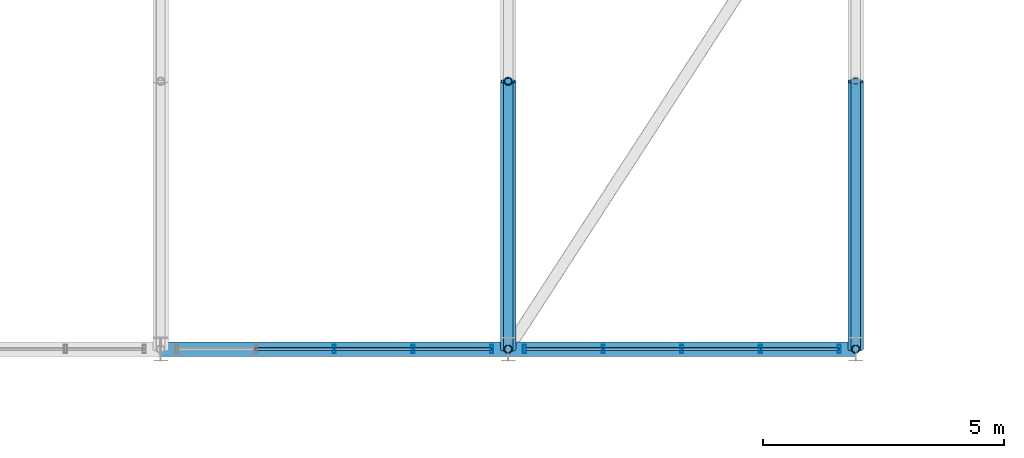
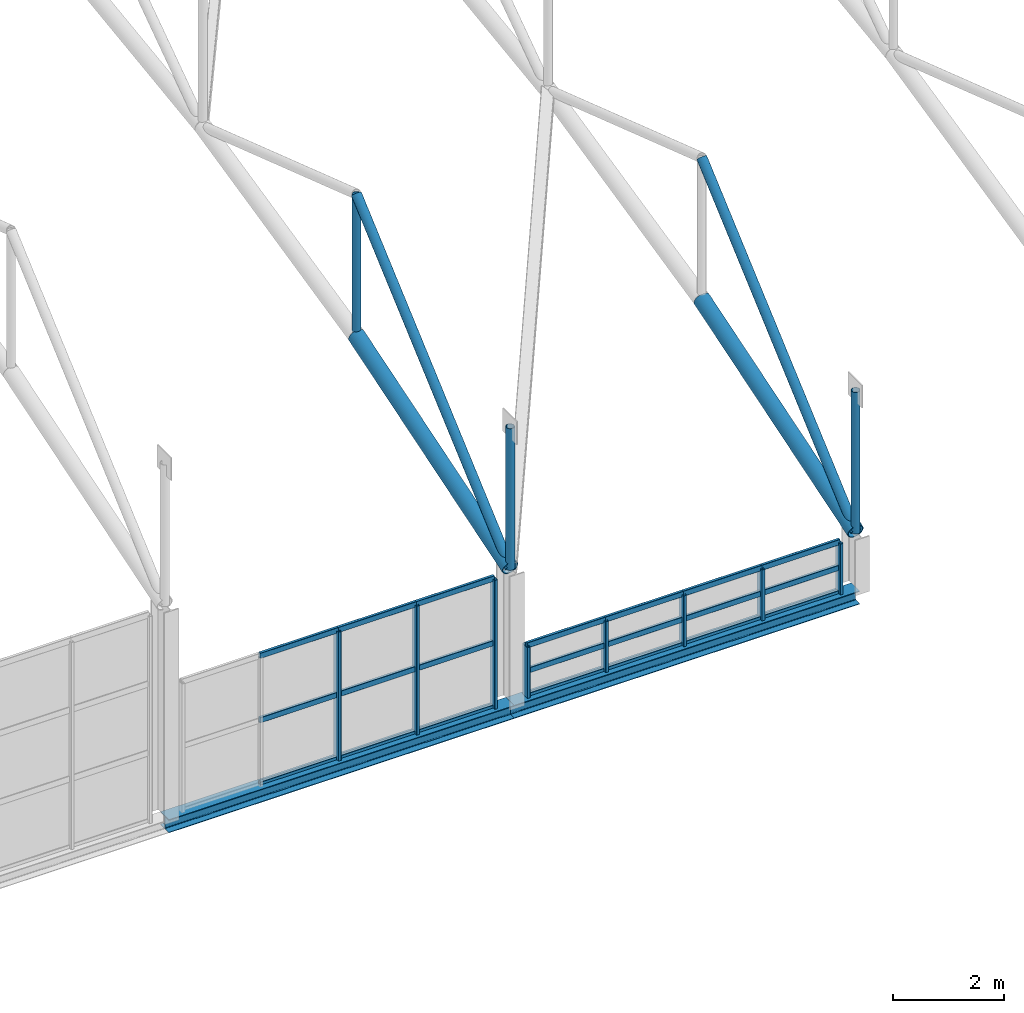
# One storey, part 24 of 153: 36 members, 2 beams, 2 elements without a shape of their own.
"""IFC4 building model written with IfcOpenShell, lengths in metres."""

from ifc_helpers import new_model, si_unit, derived_unit, direction, frame, origin, origin_2d, place, context, subcontext, project, spatial, hollow_rectangle, hollow_circle, i_section, extrude, material, material_profile, profile_set, type_object, element, aggregate, save


model = new_model("IFC4")

# Units and contexts
model_context = context("Model", 3, precision=1e-05, world=origin(), true_north=direction((0.0, 1.0)))
body_context = subcontext(model_context, "Body", "Model", "MODEL_VIEW")
ifc_project = project(units=[si_unit("LENGTHUNIT", "METRE"), si_unit("AREAUNIT", "SQUARE_METRE"), si_unit("VOLUMEUNIT", "CUBIC_METRE"), si_unit("PLANEANGLEUNIT", "RADIAN"), si_unit("MASSUNIT", "GRAM", prefix="KILO"), derived_unit("THERMALTRANSMITTANCEUNIT", [(si_unit("POWERUNIT", "WATT"), 1), (si_unit("LENGTHUNIT", "METRE"), -2), (si_unit("THERMODYNAMICTEMPERATUREUNIT", "KELVIN"), -1)])], contexts=[model_context])

# Site, building, storey
site_placement = place(None, origin())
site = spatial("IfcSite", under=ifc_project, at=site_placement, CompositionType="ELEMENT")
building_placement = place(site_placement, origin())
building = spatial("IfcBuilding", under=site, at=building_placement, Name="Keldorne Ridge Multi-Sports Centre", CompositionType="ELEMENT")
storey_placement = place(building_placement, frame((0.0, 0.0, 9.60009765625)))
storey = spatial("IfcBuildingStorey", under=building, at=storey_placement, Name="L02", CompositionType="ELEMENT", Elevation=9.60009765625)

# Beams
ifc_material_1 = material(Name="Steel S355", Category="steel")
ifc_material_profile_1 = material_profile(ifc_material_1, i_section(OverallWidth=0.300048828125, OverallDepth=0.2900390625, WebThickness=0.008544921875, FlangeThickness=0.013916015625, FilletRadius=0.027099609375, at=origin_2d()), Name="HEA 300")
ifc_profile_set_1 = profile_set([ifc_material_profile_1], Name="Steel S355")
beam_type = type_object("IfcBeamType", Name="BM-SP-04", PredefinedType="SPANDREL", material=ifc_profile_set_1)
beam_1_placement = place(storey_placement, frame((20.39990234375, 9.60009765625, -0.150146484375), z_axis=(1.0, 0.0, 0.0), x_axis=(0.0, 1.0, 0.0)))
element("IfcBeam", 1, at=beam_1_placement, inside=storey, type_object=beam_type, Name="Main Hall south spandrel L02.3", PredefinedType="SPANDREL", context=body_context, shape_type="SweptSolid", body=[
    extrude(i_section(OverallWidth=0.300048828125, OverallDepth=0.2900390625, WebThickness=0.008544921875, FlangeThickness=0.013916015625, FilletRadius=0.027099609375, at=origin_2d()), origin(), (0.0, 0.0, 1.0), 7.2001953125),
])
beam_2_placement = place(storey_placement, frame((27.60009765625, 9.60009765625, -0.150146484375), z_axis=(1.0, 0.0, 0.0), x_axis=(0.0, 1.0, 0.0)))
element("IfcBeam", 2, at=beam_2_placement, inside=storey, type_object=beam_type, Name="Main Hall south spandrel L02.4", PredefinedType="SPANDREL", context=body_context, shape_type="SweptSolid", body=[
    extrude(i_section(OverallWidth=0.300048828125, OverallDepth=0.2900390625, WebThickness=0.008544921875, FlangeThickness=0.013916015625, FilletRadius=0.027099609375, at=origin_2d()), origin(), (0.0, 0.0, 1.0), 7.199951171875),
])

# Curtain wall, members
ifc_material_2 = material(Name="Anodized aluminium", Category="aluminium")
curtain_wall_type_1 = type_object("IfcCurtainWallType", Name="CW-CW-08", PredefinedType="NOTDEFINED", material=ifc_material_2)
curtain_wall_1_placement = place(storey_placement, origin())
curtain_wall_1 = element("IfcCurtainWall", 3, at=curtain_wall_1_placement, inside=storey, type_object=curtain_wall_type_1, Name="Main Hall south high clerestory 008", PredefinedType="NOTDEFINED")
ifc_material_profile_2 = material_profile(ifc_material_2, hollow_rectangle(XDim=0.06494140625, YDim=0.179931640625, WallThickness=0.00439453125, InnerFilletRadius=0.00439453125, OuterFilletRadius=0.009033203125, at=origin_2d()), Name="ALU MULLION 180x65x4.5")
ifc_profile_set_2 = profile_set([ifc_material_profile_2], Name="Anodized aluminium")
member_type_1 = type_object("IfcMemberType", Name="MEM-ML-01", PredefinedType="MULLION", material=ifc_profile_set_2)
member_1_placement = place(storey_placement, frame((24.0, 9.60009765625, 0.0), z_axis=(0.0, 0.0, 1.0), x_axis=(1.0, 0.0, 0.0)))
member_1 = element("IfcMember", 4, at=member_1_placement, type_object=member_type_1, Name="CW-008 vertical mullion 3", PredefinedType="MULLION", context=body_context, shape_type="SweptSolid", body=[
    extrude(hollow_rectangle(XDim=0.06494140625, YDim=0.179931640625, WallThickness=0.00439453125, InnerFilletRadius=0.00439453125, OuterFilletRadius=0.009033203125, at=origin_2d()), origin(), (0.0, 0.0, 1.0), 2.83984375),
])
member_2_placement = place(storey_placement, frame((25.6298828125, 9.60009765625, 0.0), z_axis=(0.0, 0.0, 1.0), x_axis=(1.0, 0.0, 0.0)))
member_2 = element("IfcMember", 5, at=member_2_placement, type_object=member_type_1, Name="CW-008 vertical mullion 4", PredefinedType="MULLION", context=body_context, shape_type="SweptSolid", body=[
    extrude(hollow_rectangle(XDim=0.06494140625, YDim=0.179931640625, WallThickness=0.00439453125, InnerFilletRadius=0.00439453125, OuterFilletRadius=0.009033203125, at=origin_2d()), origin(), (0.0, 0.0, 1.0), 2.83984375),
])
member_3_placement = place(storey_placement, frame((27.260009765625, 9.60009765625, 0.0), z_axis=(0.0, 0.0, 1.0), x_axis=(1.0, 0.0, 0.0)))
member_3 = element("IfcMember", 6, at=member_3_placement, type_object=member_type_1, Name="CW-008 vertical mullion 5", PredefinedType="MULLION", context=body_context, shape_type="SweptSolid", body=[
    extrude(hollow_rectangle(XDim=0.06494140625, YDim=0.179931640625, WallThickness=0.00439453125, InnerFilletRadius=0.00439453125, OuterFilletRadius=0.009033203125, at=origin_2d()), origin(), (0.0, 0.0, 1.0), 2.83984375),
])

curtain_wall_type_2 = type_object("IfcCurtainWallType", Name="CW-CW-03", PredefinedType="NOTDEFINED", material=ifc_material_2)
curtain_wall_2_placement = place(storey_placement, origin())
curtain_wall_2 = element("IfcCurtainWall", 7, at=curtain_wall_2_placement, inside=storey, type_object=curtain_wall_type_2, Name="Main Hall south high clerestory 011", PredefinedType="NOTDEFINED")
member_4_placement = place(storey_placement, frame((27.93994140625, 9.60009765625, 0.0), z_axis=(0.0, 0.0, 1.0), x_axis=(1.0, 0.0, 0.0)))
member_4 = element("IfcMember", 8, at=member_4_placement, type_object=member_type_1, Name="CW-011 vertical mullion 1", PredefinedType="MULLION", context=body_context, shape_type="SweptSolid", body=[
    extrude(hollow_rectangle(XDim=0.06494140625, YDim=0.179931640625, WallThickness=0.00439453125, InnerFilletRadius=0.00439453125, OuterFilletRadius=0.009033203125, at=origin_2d()), origin(), (0.0, 0.0, 1.0), 1.119873046875),
])
member_5_placement = place(storey_placement, frame((29.570068359375, 9.60009765625, 0.0), z_axis=(0.0, 0.0, 1.0), x_axis=(1.0, 0.0, 0.0)))
member_5 = element("IfcMember", 9, at=member_5_placement, type_object=member_type_1, Name="CW-011 vertical mullion 2", PredefinedType="MULLION", context=body_context, shape_type="SweptSolid", body=[
    extrude(hollow_rectangle(XDim=0.06494140625, YDim=0.179931640625, WallThickness=0.00439453125, InnerFilletRadius=0.00439453125, OuterFilletRadius=0.009033203125, at=origin_2d()), origin(), (0.0, 0.0, 1.0), 1.119873046875),
])
member_6_placement = place(storey_placement, frame((31.199951171875, 9.60009765625, 0.0), z_axis=(0.0, 0.0, 1.0), x_axis=(1.0, 0.0, 0.0)))
member_6 = element("IfcMember", 10, at=member_6_placement, type_object=member_type_1, Name="CW-011 vertical mullion 3", PredefinedType="MULLION", context=body_context, shape_type="SweptSolid", body=[
    extrude(hollow_rectangle(XDim=0.06494140625, YDim=0.179931640625, WallThickness=0.00439453125, InnerFilletRadius=0.00439453125, OuterFilletRadius=0.009033203125, at=origin_2d()), origin(), (0.0, 0.0, 1.0), 1.119873046875),
])
member_7_placement = place(storey_placement, frame((32.830078125, 9.60009765625, 0.0), z_axis=(0.0, 0.0, 1.0), x_axis=(1.0, 0.0, 0.0)))
member_7 = element("IfcMember", 11, at=member_7_placement, type_object=member_type_1, Name="CW-011 vertical mullion 4", PredefinedType="MULLION", context=body_context, shape_type="SweptSolid", body=[
    extrude(hollow_rectangle(XDim=0.06494140625, YDim=0.179931640625, WallThickness=0.00439453125, InnerFilletRadius=0.00439453125, OuterFilletRadius=0.009033203125, at=origin_2d()), origin(), (0.0, 0.0, 1.0), 1.119873046875),
])
member_8_placement = place(storey_placement, frame((34.4599609375, 9.60009765625, 0.0), z_axis=(0.0, 0.0, 1.0), x_axis=(1.0, 0.0, 0.0)))
member_8 = element("IfcMember", 12, at=member_8_placement, type_object=member_type_1, Name="CW-011 vertical mullion 5", PredefinedType="MULLION", context=body_context, shape_type="SweptSolid", body=[
    extrude(hollow_rectangle(XDim=0.06494140625, YDim=0.179931640625, WallThickness=0.00439453125, InnerFilletRadius=0.00439453125, OuterFilletRadius=0.009033203125, at=origin_2d()), origin(), (0.0, 0.0, 1.0), 1.119873046875),
])

# Members
ifc_material_profile_3 = material_profile(ifc_material_1, hollow_circle(Radius=0.161865234375, WallThickness=0.01611328125, at=origin_2d()), Name="CHS 323.9x16")
ifc_profile_set_3 = profile_set([ifc_material_profile_3], Name="Steel S355")
member_type_2 = type_object("IfcMemberType", Name="MEM-TC-02", PredefinedType="CHORD", material=ifc_profile_set_3)
for number, where, z_axis, x_axis, name in (
    (13, (27.60009765625, 9.60009765625, 2.93994140625), (0.0, 0.953709395146, 0.300729761763), (-1.0, 0.0, 0.0), "Main Hall ROOF TRUSS AT-04 bottom chord 1"),
    (14, (34.800048828125, 9.60009765625, 1.219970703125), (0.0, 0.953709395146, 0.300729761763), (-1.0, 0.0, 0.0), "Main Hall ROOF TRUSS AT-05 bottom chord 1"),
):
    element("IfcMember", number, at=place(storey_placement, frame(where, z_axis=z_axis, x_axis=x_axis)), inside=storey, type_object=member_type_2, Name=name, PredefinedType="CHORD", context=body_context, shape_type="SweptSolid", body=[
        extrude(hollow_circle(Radius=0.161865234375, WallThickness=0.01611328125, at=origin_2d()), origin(), (0.0, 0.0, 1.0), 5.819091796875),
    ])
ifc_material_profile_4 = material_profile(ifc_material_1, hollow_circle(Radius=0.096923828125, WallThickness=0.010009765625, at=origin_2d()), Name="CHS 193.7x10")
ifc_profile_set_4 = profile_set([ifc_material_profile_4], Name="Steel S355")
member_type_3 = type_object("IfcMemberType", Name="MEM-TD-01", PredefinedType="BRACE", material=ifc_profile_set_4)
for number, where, z_axis, x_axis, name in (
    (15, (27.60009765625, 9.60009765625, 2.93994140625), (0.0, 0.751650110512, 0.659562060285), (-1.0, 0.0, 0.0), "Main Hall ROOF TRUSS AT-04 diagonal 1"),
    (16, (34.800048828125, 9.60009765625, 1.219970703125), (0.0, 0.751650110512, 0.659562060285), (-1.0, 0.0, 0.0), "Main Hall ROOF TRUSS AT-05 diagonal 1"),
):
    element("IfcMember", number, at=place(storey_placement, frame(where, z_axis=z_axis, x_axis=x_axis)), inside=storey, type_object=member_type_3, Name=name, PredefinedType="BRACE", context=body_context, shape_type="SweptSolid", body=[
        extrude(hollow_circle(Radius=0.096923828125, WallThickness=0.010009765625, at=origin_2d()), origin(), (0.0, 0.0, 1.0), 7.383544921875),
    ])

# Member
ifc_material_profile_5 = material_profile(ifc_material_2, hollow_rectangle(XDim=0.06005859375, YDim=0.1201171875, WallThickness=0.00390625, InnerFilletRadius=0.00390625, OuterFilletRadius=0.008056640625, at=origin_2d()), Name="ALU TRANSOM 120x60x4")
ifc_profile_set_5 = profile_set([ifc_material_profile_5], Name="Anodized aluminium")
member_type_4 = type_object("IfcMemberType", Name="MEM-TR-02", PredefinedType="USERDEFINED", material=ifc_profile_set_5)
member_9_placement = place(storey_placement, frame((22.3701171875, 9.60009765625, 0.0), z_axis=(1.0, 0.0, 0.0), x_axis=(0.0, 1.0, 0.0)))
member_9 = element("IfcMember", 17, at=member_9_placement, type_object=member_type_4, Name="CW-008 transom 2.1", ObjectType="TRANSOM", PredefinedType="USERDEFINED", context=body_context, shape_type="SweptSolid", body=[
    extrude(hollow_rectangle(XDim=0.06005859375, YDim=0.1201171875, WallThickness=0.00390625, InnerFilletRadius=0.00390625, OuterFilletRadius=0.008056640625, at=origin_2d()), origin(), (0.0, 0.0, 1.0), 1.6298828125),
])

member_10_placement = place(storey_placement, frame((22.3701171875, 9.60009765625, 1.419921875), z_axis=(1.0, 0.0, 0.0), x_axis=(0.0, 1.0, 0.0)))
member_10 = element("IfcMember", 18, at=member_10_placement, type_object=member_type_4, Name="CW-008 transom 2.2", ObjectType="TRANSOM", PredefinedType="USERDEFINED", context=body_context, shape_type="SweptSolid", body=[
    extrude(hollow_rectangle(XDim=0.06005859375, YDim=0.1201171875, WallThickness=0.00390625, InnerFilletRadius=0.00390625, OuterFilletRadius=0.008056640625, at=origin_2d()), origin(), (0.0, 0.0, 1.0), 1.6298828125),
])

member_11_placement = place(storey_placement, frame((22.3701171875, 9.60009765625, 2.83984375), z_axis=(1.0, 0.0, 0.0), x_axis=(0.0, 1.0, 0.0)))
member_11 = element("IfcMember", 19, at=member_11_placement, type_object=member_type_4, Name="CW-008 transom 2.3", ObjectType="TRANSOM", PredefinedType="USERDEFINED", context=body_context, shape_type="SweptSolid", body=[
    extrude(hollow_rectangle(XDim=0.06005859375, YDim=0.1201171875, WallThickness=0.00390625, InnerFilletRadius=0.00390625, OuterFilletRadius=0.008056640625, at=origin_2d()), origin(), (0.0, 0.0, 1.0), 1.6298828125),
])

member_12_placement = place(storey_placement, frame((24.0, 9.60009765625, 0.0), z_axis=(1.0, 0.0, 0.0), x_axis=(0.0, 1.0, 0.0)))
member_12 = element("IfcMember", 20, at=member_12_placement, type_object=member_type_4, Name="CW-008 transom 3.1", ObjectType="TRANSOM", PredefinedType="USERDEFINED", context=body_context, shape_type="SweptSolid", body=[
    extrude(hollow_rectangle(XDim=0.06005859375, YDim=0.1201171875, WallThickness=0.00390625, InnerFilletRadius=0.00390625, OuterFilletRadius=0.008056640625, at=origin_2d()), origin(), (0.0, 0.0, 1.0), 1.6298828125),
])

member_13_placement = place(storey_placement, frame((24.0, 9.60009765625, 1.419921875), z_axis=(1.0, 0.0, 0.0), x_axis=(0.0, 1.0, 0.0)))
member_13 = element("IfcMember", 21, at=member_13_placement, type_object=member_type_4, Name="CW-008 transom 3.2", ObjectType="TRANSOM", PredefinedType="USERDEFINED", context=body_context, shape_type="SweptSolid", body=[
    extrude(hollow_rectangle(XDim=0.06005859375, YDim=0.1201171875, WallThickness=0.00390625, InnerFilletRadius=0.00390625, OuterFilletRadius=0.008056640625, at=origin_2d()), origin(), (0.0, 0.0, 1.0), 1.6298828125),
])

member_14_placement = place(storey_placement, frame((24.0, 9.60009765625, 2.83984375), z_axis=(1.0, 0.0, 0.0), x_axis=(0.0, 1.0, 0.0)))
member_14 = element("IfcMember", 22, at=member_14_placement, type_object=member_type_4, Name="CW-008 transom 3.3", ObjectType="TRANSOM", PredefinedType="USERDEFINED", context=body_context, shape_type="SweptSolid", body=[
    extrude(hollow_rectangle(XDim=0.06005859375, YDim=0.1201171875, WallThickness=0.00390625, InnerFilletRadius=0.00390625, OuterFilletRadius=0.008056640625, at=origin_2d()), origin(), (0.0, 0.0, 1.0), 1.6298828125),
])

member_15_placement = place(storey_placement, frame((25.6298828125, 9.60009765625, 0.0), z_axis=(1.0, 0.0, 0.0), x_axis=(0.0, 1.0, 0.0)))
member_15 = element("IfcMember", 23, at=member_15_placement, type_object=member_type_4, Name="CW-008 transom 4.1", ObjectType="TRANSOM", PredefinedType="USERDEFINED", context=body_context, shape_type="SweptSolid", body=[
    extrude(hollow_rectangle(XDim=0.06005859375, YDim=0.1201171875, WallThickness=0.00390625, InnerFilletRadius=0.00390625, OuterFilletRadius=0.008056640625, at=origin_2d()), origin(), (0.0, 0.0, 1.0), 1.630126953125),
])

member_16_placement = place(storey_placement, frame((25.6298828125, 9.60009765625, 1.419921875), z_axis=(1.0, 0.0, 0.0), x_axis=(0.0, 1.0, 0.0)))
member_16 = element("IfcMember", 24, at=member_16_placement, type_object=member_type_4, Name="CW-008 transom 4.2", ObjectType="TRANSOM", PredefinedType="USERDEFINED", context=body_context, shape_type="SweptSolid", body=[
    extrude(hollow_rectangle(XDim=0.06005859375, YDim=0.1201171875, WallThickness=0.00390625, InnerFilletRadius=0.00390625, OuterFilletRadius=0.008056640625, at=origin_2d()), origin(), (0.0, 0.0, 1.0), 1.630126953125),
])

member_17_placement = place(storey_placement, frame((25.6298828125, 9.60009765625, 2.83984375), z_axis=(1.0, 0.0, 0.0), x_axis=(0.0, 1.0, 0.0)))
member_17 = element("IfcMember", 25, at=member_17_placement, type_object=member_type_4, Name="CW-008 transom 4.3", ObjectType="TRANSOM", PredefinedType="USERDEFINED", context=body_context, shape_type="SweptSolid", body=[
    extrude(hollow_rectangle(XDim=0.06005859375, YDim=0.1201171875, WallThickness=0.00390625, InnerFilletRadius=0.00390625, OuterFilletRadius=0.008056640625, at=origin_2d()), origin(), (0.0, 0.0, 1.0), 1.630126953125),
])

aggregate(curtain_wall_1, [member_1, member_2, member_3, member_9, member_10, member_11, member_12, member_13, member_14, member_15, member_16, member_17])

member_18_placement = place(storey_placement, frame((27.93994140625, 9.60009765625, 0.0), z_axis=(1.0, 0.0, 0.0), x_axis=(0.0, 1.0, 0.0)))
member_18 = element("IfcMember", 26, at=member_18_placement, type_object=member_type_4, Name="CW-011 transom 1.1", ObjectType="TRANSOM", PredefinedType="USERDEFINED", context=body_context, shape_type="SweptSolid", body=[
    extrude(hollow_rectangle(XDim=0.06005859375, YDim=0.1201171875, WallThickness=0.00390625, InnerFilletRadius=0.00390625, OuterFilletRadius=0.008056640625, at=origin_2d()), origin(), (0.0, 0.0, 1.0), 1.630126953125),
])

member_19_placement = place(storey_placement, frame((27.93994140625, 9.60009765625, 0.559814453125), z_axis=(1.0, 0.0, 0.0), x_axis=(0.0, 1.0, 0.0)))
member_19 = element("IfcMember", 27, at=member_19_placement, type_object=member_type_4, Name="CW-011 transom 1.2", ObjectType="TRANSOM", PredefinedType="USERDEFINED", context=body_context, shape_type="SweptSolid", body=[
    extrude(hollow_rectangle(XDim=0.06005859375, YDim=0.1201171875, WallThickness=0.00390625, InnerFilletRadius=0.00390625, OuterFilletRadius=0.008056640625, at=origin_2d()), origin(), (0.0, 0.0, 1.0), 1.630126953125),
])

member_20_placement = place(storey_placement, frame((27.93994140625, 9.60009765625, 1.119873046875), z_axis=(1.0, 0.0, 0.0), x_axis=(0.0, 1.0, 0.0)))
member_20 = element("IfcMember", 28, at=member_20_placement, type_object=member_type_4, Name="CW-011 transom 1.3", ObjectType="TRANSOM", PredefinedType="USERDEFINED", context=body_context, shape_type="SweptSolid", body=[
    extrude(hollow_rectangle(XDim=0.06005859375, YDim=0.1201171875, WallThickness=0.00390625, InnerFilletRadius=0.00390625, OuterFilletRadius=0.008056640625, at=origin_2d()), origin(), (0.0, 0.0, 1.0), 1.630126953125),
])

member_21_placement = place(storey_placement, frame((29.570068359375, 9.60009765625, 0.0), z_axis=(1.0, 0.0, 0.0), x_axis=(0.0, 1.0, 0.0)))
member_21 = element("IfcMember", 29, at=member_21_placement, type_object=member_type_4, Name="CW-011 transom 2.1", ObjectType="TRANSOM", PredefinedType="USERDEFINED", context=body_context, shape_type="SweptSolid", body=[
    extrude(hollow_rectangle(XDim=0.06005859375, YDim=0.1201171875, WallThickness=0.00390625, InnerFilletRadius=0.00390625, OuterFilletRadius=0.008056640625, at=origin_2d()), origin(), (0.0, 0.0, 1.0), 1.6298828125),
])

member_22_placement = place(storey_placement, frame((29.570068359375, 9.60009765625, 0.559814453125), z_axis=(1.0, 0.0, 0.0), x_axis=(0.0, 1.0, 0.0)))
member_22 = element("IfcMember", 30, at=member_22_placement, type_object=member_type_4, Name="CW-011 transom 2.2", ObjectType="TRANSOM", PredefinedType="USERDEFINED", context=body_context, shape_type="SweptSolid", body=[
    extrude(hollow_rectangle(XDim=0.06005859375, YDim=0.1201171875, WallThickness=0.00390625, InnerFilletRadius=0.00390625, OuterFilletRadius=0.008056640625, at=origin_2d()), origin(), (0.0, 0.0, 1.0), 1.6298828125),
])

member_23_placement = place(storey_placement, frame((29.570068359375, 9.60009765625, 1.119873046875), z_axis=(1.0, 0.0, 0.0), x_axis=(0.0, 1.0, 0.0)))
member_23 = element("IfcMember", 31, at=member_23_placement, type_object=member_type_4, Name="CW-011 transom 2.3", ObjectType="TRANSOM", PredefinedType="USERDEFINED", context=body_context, shape_type="SweptSolid", body=[
    extrude(hollow_rectangle(XDim=0.06005859375, YDim=0.1201171875, WallThickness=0.00390625, InnerFilletRadius=0.00390625, OuterFilletRadius=0.008056640625, at=origin_2d()), origin(), (0.0, 0.0, 1.0), 1.6298828125),
])

member_24_placement = place(storey_placement, frame((31.199951171875, 9.60009765625, 0.0), z_axis=(1.0, 0.0, 0.0), x_axis=(0.0, 1.0, 0.0)))
member_24 = element("IfcMember", 32, at=member_24_placement, type_object=member_type_4, Name="CW-011 transom 3.1", ObjectType="TRANSOM", PredefinedType="USERDEFINED", context=body_context, shape_type="SweptSolid", body=[
    extrude(hollow_rectangle(XDim=0.06005859375, YDim=0.1201171875, WallThickness=0.00390625, InnerFilletRadius=0.00390625, OuterFilletRadius=0.008056640625, at=origin_2d()), origin(), (0.0, 0.0, 1.0), 1.630126953125),
])

member_25_placement = place(storey_placement, frame((31.199951171875, 9.60009765625, 0.559814453125), z_axis=(1.0, 0.0, 0.0), x_axis=(0.0, 1.0, 0.0)))
member_25 = element("IfcMember", 33, at=member_25_placement, type_object=member_type_4, Name="CW-011 transom 3.2", ObjectType="TRANSOM", PredefinedType="USERDEFINED", context=body_context, shape_type="SweptSolid", body=[
    extrude(hollow_rectangle(XDim=0.06005859375, YDim=0.1201171875, WallThickness=0.00390625, InnerFilletRadius=0.00390625, OuterFilletRadius=0.008056640625, at=origin_2d()), origin(), (0.0, 0.0, 1.0), 1.630126953125),
])

member_26_placement = place(storey_placement, frame((31.199951171875, 9.60009765625, 1.119873046875), z_axis=(1.0, 0.0, 0.0), x_axis=(0.0, 1.0, 0.0)))
member_26 = element("IfcMember", 34, at=member_26_placement, type_object=member_type_4, Name="CW-011 transom 3.3", ObjectType="TRANSOM", PredefinedType="USERDEFINED", context=body_context, shape_type="SweptSolid", body=[
    extrude(hollow_rectangle(XDim=0.06005859375, YDim=0.1201171875, WallThickness=0.00390625, InnerFilletRadius=0.00390625, OuterFilletRadius=0.008056640625, at=origin_2d()), origin(), (0.0, 0.0, 1.0), 1.630126953125),
])

member_27_placement = place(storey_placement, frame((32.830078125, 9.60009765625, 0.0), z_axis=(1.0, 0.0, 0.0), x_axis=(0.0, 1.0, 0.0)))
member_27 = element("IfcMember", 35, at=member_27_placement, type_object=member_type_4, Name="CW-011 transom 4.1", ObjectType="TRANSOM", PredefinedType="USERDEFINED", context=body_context, shape_type="SweptSolid", body=[
    extrude(hollow_rectangle(XDim=0.06005859375, YDim=0.1201171875, WallThickness=0.00390625, InnerFilletRadius=0.00390625, OuterFilletRadius=0.008056640625, at=origin_2d()), origin(), (0.0, 0.0, 1.0), 1.6298828125),
])

member_28_placement = place(storey_placement, frame((32.830078125, 9.60009765625, 0.559814453125), z_axis=(1.0, 0.0, 0.0), x_axis=(0.0, 1.0, 0.0)))
member_28 = element("IfcMember", 36, at=member_28_placement, type_object=member_type_4, Name="CW-011 transom 4.2", ObjectType="TRANSOM", PredefinedType="USERDEFINED", context=body_context, shape_type="SweptSolid", body=[
    extrude(hollow_rectangle(XDim=0.06005859375, YDim=0.1201171875, WallThickness=0.00390625, InnerFilletRadius=0.00390625, OuterFilletRadius=0.008056640625, at=origin_2d()), origin(), (0.0, 0.0, 1.0), 1.6298828125),
])

member_29_placement = place(storey_placement, frame((32.830078125, 9.60009765625, 1.119873046875), z_axis=(1.0, 0.0, 0.0), x_axis=(0.0, 1.0, 0.0)))
member_29 = element("IfcMember", 37, at=member_29_placement, type_object=member_type_4, Name="CW-011 transom 4.3", ObjectType="TRANSOM", PredefinedType="USERDEFINED", context=body_context, shape_type="SweptSolid", body=[
    extrude(hollow_rectangle(XDim=0.06005859375, YDim=0.1201171875, WallThickness=0.00390625, InnerFilletRadius=0.00390625, OuterFilletRadius=0.008056640625, at=origin_2d()), origin(), (0.0, 0.0, 1.0), 1.6298828125),
])

aggregate(curtain_wall_2, [member_4, member_5, member_6, member_7, member_8, member_18, member_19, member_20, member_21, member_22, member_23, member_24, member_25, member_26, member_27, member_28, member_29])

# Members
ifc_material_profile_6 = material_profile(ifc_material_1, hollow_circle(Radius=0.084228515625, WallThickness=0.010009765625, at=origin_2d()), Name="CHS 168.3x10")
ifc_profile_set_6 = profile_set([ifc_material_profile_6], Name="Steel S355")
member_type_5 = type_object("IfcMemberType", Name="MEM-TV-01", PredefinedType="STRUT", material=ifc_profile_set_6)
for number, where, z_axis, x_axis, name in (
    (38, (27.60009765625, 9.60009765625, 2.93994140625), (0.0, 0.0, 1.0), (1.0, 0.0, 0.0), "Main Hall ROOF TRUSS AT-04 vertical 1"),
    (39, (27.60009765625, 15.14990234375, 4.68994140625), (0.0, 0.0, 1.0), (1.0, 0.0, 0.0), "Main Hall ROOF TRUSS AT-04 vertical 2"),
    (40, (34.800048828125, 9.60009765625, 1.219970703125), (0.0, 0.0, 1.0), (1.0, 0.0, 0.0), "Main Hall ROOF TRUSS AT-05 vertical 1"),
):
    element("IfcMember", number, at=place(storey_placement, frame(where, z_axis=z_axis, x_axis=x_axis)), inside=storey, type_object=member_type_5, Name=name, PredefinedType="STRUT", context=body_context, shape_type="SweptSolid", body=[
        extrude(hollow_circle(Radius=0.084228515625, WallThickness=0.010009765625, at=origin_2d()), origin(), (0.0, 0.0, 1.0), 3.119873046875),
    ])

save(model, "model.ifc")
